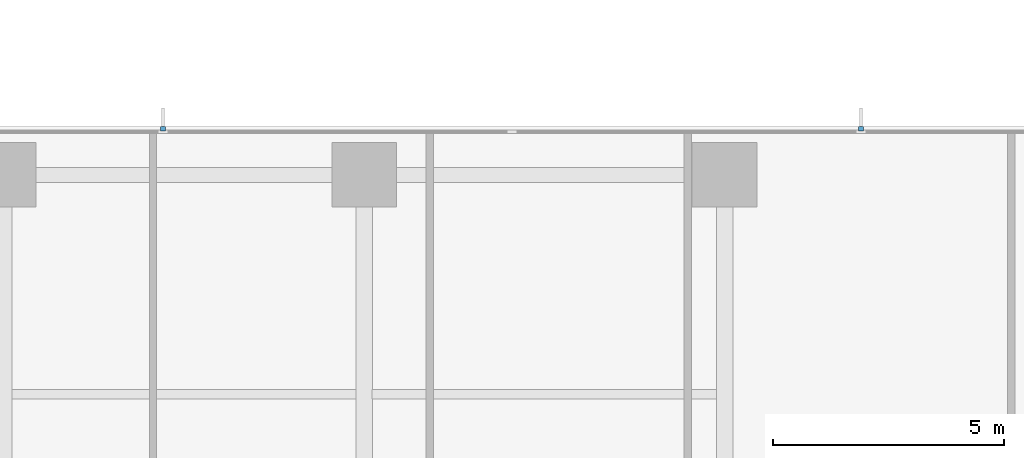
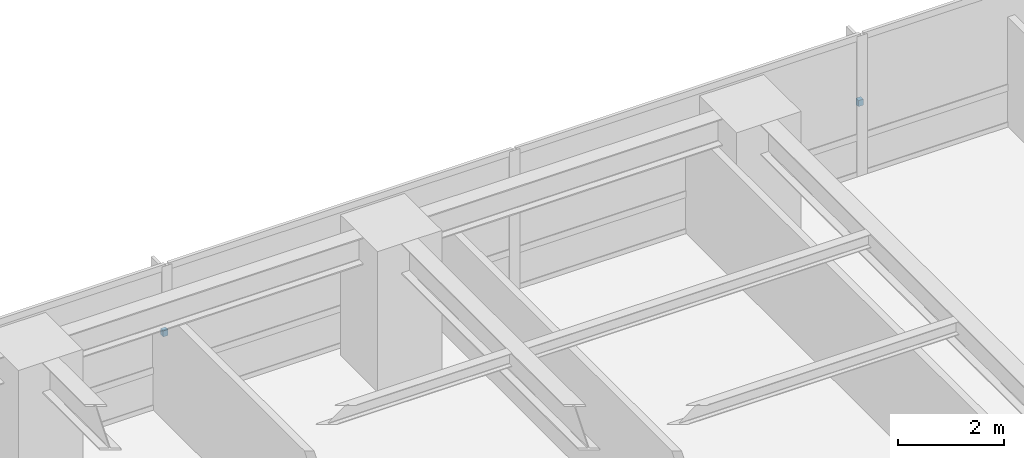
# One storey, part 14 of 16: 2 discrete accessories.
"""IFC4 building model written with IfcOpenShell, lengths in metres."""

from ifc_helpers import new_model, si_unit, direction, frame, origin, place, context, subcontext, project, spatial, polyline, outline, extrude, material, type_object, element, save


model = new_model("IFC4")

# Units and contexts
model_context = context("Model", 3, precision=1e-05, world=origin(), true_north=direction((0.0, 1.0)))
body_context = subcontext(model_context, "Body", "Model", "MODEL_VIEW")
ifc_project = project(units=[si_unit("LENGTHUNIT", "METRE"), si_unit("AREAUNIT", "SQUARE_METRE"), si_unit("VOLUMEUNIT", "CUBIC_METRE"), si_unit("PLANEANGLEUNIT", "RADIAN"), si_unit("MASSUNIT", "GRAM", prefix="KILO")], contexts=[model_context])

# Site, building, storey
site_placement = place(None, origin())
site = spatial("IfcSite", under=ifc_project, at=site_placement, CompositionType="ELEMENT")
building_placement = place(site_placement, origin())
building = spatial("IfcBuilding", under=site, at=building_placement, Name="Qalmaran Belvedere Hotel", CompositionType="ELEMENT")
storey_placement = place(building_placement, frame((0.0, 0.0, 57.89990234375)))
storey = spatial("IfcBuildingStorey", under=building, at=storey_placement, Name="L14", CompositionType="ELEMENT", Elevation=57.89990234375)

# Discrete accessories
ifc_material = material(Name="Stainless Steel 1.4401", Category="steel")
discrete_accessory_type = type_object("IfcDiscreteAccessoryType", Name="BRK-FIN-SS316", PredefinedType="BRACKET", material=ifc_material)
discrete_accessory_1_placement = place(storey_placement, frame((0.0, 0.0, 1.56005859375)))
element("IfcDiscreteAccessory", 1, at=discrete_accessory_1_placement, inside=storey, type_object=discrete_accessory_type, Name="L14 Fin Bracket 1", PredefinedType="BRACKET", context=body_context, shape_type="SweptSolid", body=[
    extrude(outline(polyline([(47.804931640625, 48.39501953125), (47.804931640625, 48.492431640625), (47.695068359375, 48.492431640625), (47.695068359375, 48.39501953125), (47.804931640625, 48.39501953125)])), origin(), (0.0, 0.0, 1.0), 0.14013671875),
])
discrete_accessory_2_placement = place(storey_placement, frame((0.0, 0.0, 1.56005859375)))
element("IfcDiscreteAccessory", 2, at=discrete_accessory_2_placement, inside=storey, type_object=discrete_accessory_type, Name="L14 Fin Bracket 3", PredefinedType="BRACKET", context=body_context, shape_type="SweptSolid", body=[
    extrude(outline(polyline([(32.705078125, 48.39501953125), (32.705078125, 48.492431640625), (32.594970703125, 48.492431640625), (32.594970703125, 48.39501953125), (32.705078125, 48.39501953125)])), origin(), (0.0, 0.0, 1.0), 0.14013671875),
])

save(model, "model.ifc")
